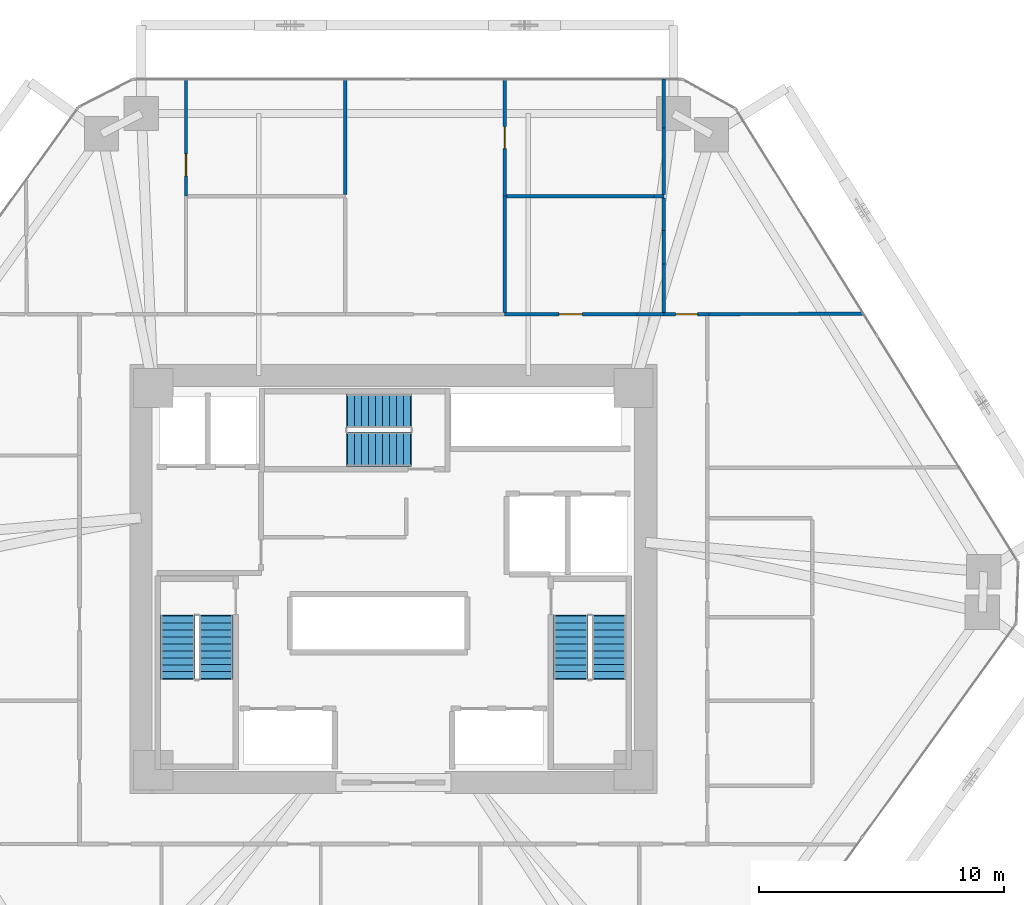
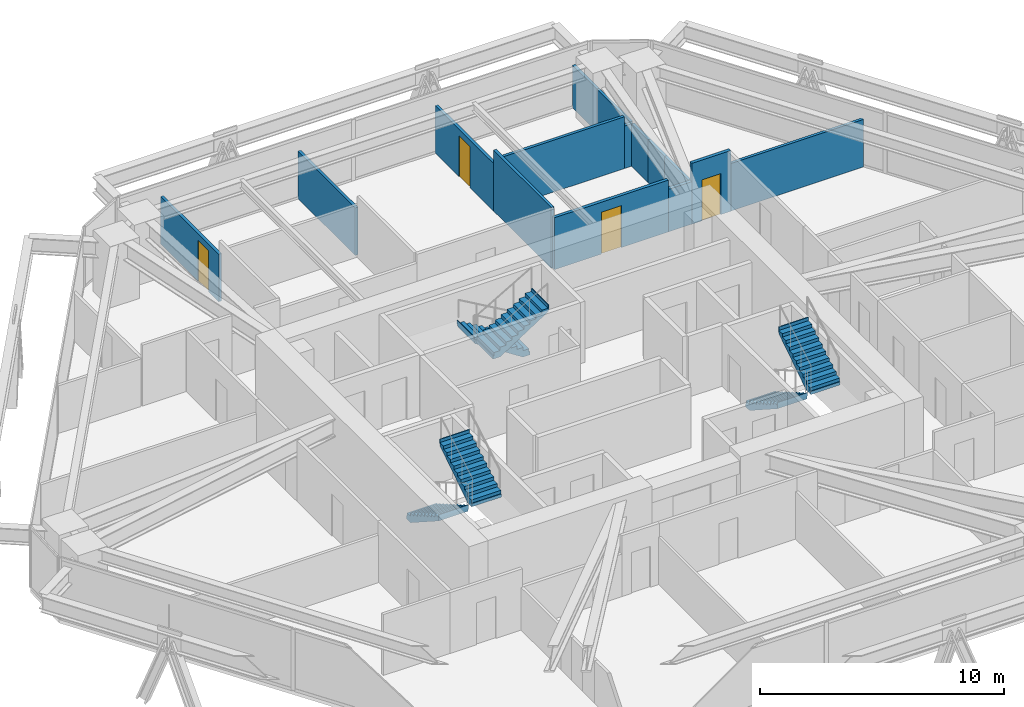
# One storey, part 16 of 17: 15 walls, 6 stair flights, 4 doors, 4 openings, 3 elements without a shape of their own.
"""IFC4 building model written with IfcOpenShell, lengths in metres."""

from ifc_helpers import new_model, si_unit, direction, frame, frame_2d, origin, place, context, subcontext, project, spatial, polyline, rectangle, outline, extrude, source, transform, mapped, material, layer, layer_set, type_object, type_shapes, element, fill, aggregate, save


model = new_model("IFC4")

# Units and contexts
model_context = context("Model", 3, precision=1e-05, world=origin(), true_north=direction((0.0, 1.0)))
body_context = subcontext(model_context, "Body", "Model", "MODEL_VIEW")
ifc_project = project(units=[si_unit("LENGTHUNIT", "METRE"), si_unit("AREAUNIT", "SQUARE_METRE"), si_unit("VOLUMEUNIT", "CUBIC_METRE"), si_unit("PLANEANGLEUNIT", "RADIAN"), si_unit("MASSUNIT", "GRAM", prefix="KILO")], contexts=[model_context])

# Site, building, storey
site_placement = place(None, origin())
site = spatial("IfcSite", under=ifc_project, at=site_placement, CompositionType="ELEMENT")
building_placement = place(site_placement, origin())
building = spatial("IfcBuilding", under=site, at=building_placement, Name="Durnholm Broadcast Tower", CompositionType="ELEMENT")
storey_placement = place(building_placement, frame((0.0, 0.0, 45.60009765625)))
storey = spatial("IfcBuildingStorey", under=building, at=storey_placement, Name="L10", CompositionType="ELEMENT", Elevation=45.60009765625)

# Wall, opening, door
ifc_material_1 = material(Name="Gypsum Metal Stud Partition", Category="concrete")
ifc_layer_1 = layer(ifc_material_1, 0.135009765625)
ifc_layer_set_1 = layer_set([ifc_layer_1], Name="Gypsum Metal Stud Partition")
wall_type_1 = type_object("IfcWallType", Name="WALL-PART-135", PredefinedType="PARTITIONING", material=ifc_layer_set_1)
wall_1_placement = place(storey_placement, frame((-8.4599609375, 20.39990234375, 0.0), z_axis=(0.0, 0.0, 1.0), x_axis=(0.0, -1.0, 0.0)))
wall_1 = element("IfcWall", 1, at=wall_1_placement, inside=storey, type_object=wall_type_1, Name="L10 room dividing partition 6.8", PredefinedType="PARTITIONING", context=body_context, shape_type="SweptSolid", body=[
    extrude(rectangle(XDim=4.77490234375, YDim=0.135009765625, at=frame_2d((2.387451171875, 0.0))), origin(), (0.0, 0.0, 1.0), 2.3798828125),
])
opening_1_placement = place(wall_1_placement, frame((3.050048828125, 0.0, 0.0)))
opening_1 = element("IfcOpeningElement", 2, at=opening_1_placement, cuts=wall_1, Name="Opening DW-90L", PredefinedType="OPENING", context=body_context, shape_type="SweptSolid", body=[
    extrude(rectangle(XDim=0.89990234375, YDim=2.050048828125, at=frame_2d((0.449951171875, 1.02490234375))), frame((0.0, 0.07763671875, 0.0), z_axis=(0.0, -1.0, 0.0), x_axis=(1.0, 0.0, 0.0)), (0.0, 0.0, 1.0), 0.155029296875),
])
ifc_material_2 = material(Name="Laminate Restroom Door", Category="steel")
ifc_layer_2 = layer(ifc_material_2, 0.050048828125)
ifc_layer_set_2 = layer_set([ifc_layer_2], Name="Laminate Restroom Door")
door_type_1 = type_object("IfcDoorType", Name="DOOR-WC-900L", OperationType="NOTDEFINED", PredefinedType="DOOR", material=ifc_layer_set_2)
shared_shape_1 = source(origin(), body_context, "Body", "SweptSolid", [
    extrude(rectangle(XDim=0.89990234375, YDim=2.050048828125, at=frame_2d((0.449951171875, 1.02490234375))), frame((0.0, 0.02490234375, 0.0), z_axis=(0.0, -1.0, 0.0), x_axis=(1.0, 0.0, 0.0)), (0.0, 0.0, 1.0), 0.050048828125),
])
type_shapes(door_type_1, [shared_shape_1])
door_1_placement = place(opening_1_placement, origin())
door_1 = element("IfcDoor", 3, at=door_1_placement, inside=storey, type_object=door_type_1, Name="L10 Audio Mix Office connecting door", OperationType="SINGLE_SWING_LEFT", OverallHeight=2.050048828125, OverallWidth=0.89990234375, PredefinedType="DOOR", context=body_context, shape_type="MappedRepresentation", body=[
    mapped(shared_shape_1, transform((0.0, 0.0, 0.0), x_axis=(1.0, 0.0, 0.0), y_axis=(0.0, 1.0, 0.0), z_axis=(0.0, 0.0, 1.0), scale=1.0)),
])
fill(opening_1, door_1)

# Walls
wall_2_placement = place(storey_placement, frame((-1.9599609375, 20.39990234375, 0.0), z_axis=(0.0, 0.0, 1.0), x_axis=(0.0, -1.0, 0.0)))
element("IfcWall", 4, at=wall_2_placement, inside=storey, type_object=wall_type_1, Name="L10 room dividing partition 8.9", PredefinedType="PARTITIONING", context=body_context, shape_type="SweptSolid", body=[
    extrude(rectangle(XDim=4.703369140625, YDim=0.135009765625, at=frame_2d((2.3515625, 0.0))), origin(), (0.0, 0.0, 1.0), 2.3798828125),
])
wall_3_placement = place(storey_placement, frame((4.5400390625, 15.625, 0.0), z_axis=(0.0, 0.0, 1.0), x_axis=(0.0, -1.0, 0.0)))
element("IfcWall", 5, at=wall_3_placement, inside=storey, type_object=wall_type_1, Name="L10 room dividing partition 9.10", PredefinedType="PARTITIONING", context=body_context, shape_type="SweptSolid", body=[
    extrude(rectangle(XDim=4.736083984375, YDim=0.135009765625, at=frame_2d((2.3681640625, 0.0))), origin(), (0.0, 0.0, 1.0), 3.044921875),
])

# Wall, opening, door
wall_4_placement = place(storey_placement, frame((4.5400390625, 20.39990234375, 0.0), z_axis=(0.0, 0.0, 1.0), x_axis=(0.0, -1.0, 0.0)))
wall_4 = element("IfcWall", 6, at=wall_4_placement, inside=storey, type_object=wall_type_1, Name="L10 room dividing partition 9.11", PredefinedType="PARTITIONING", context=body_context, shape_type="SweptSolid", body=[
    extrude(rectangle(XDim=4.77490234375, YDim=0.135009765625, at=frame_2d((2.387451171875, 0.0))), origin(), (0.0, 0.0, 1.0), 2.3798828125),
])
opening_2_placement = place(wall_4_placement, frame((1.9375, 0.0, 0.0)))
opening_2 = element("IfcOpeningElement", 7, at=opening_2_placement, cuts=wall_4, Name="Opening DW-90L", PredefinedType="OPENING", context=body_context, shape_type="SweptSolid", body=[
    extrude(rectangle(XDim=0.89990234375, YDim=2.050048828125, at=frame_2d((0.449951171875, 1.02490234375))), frame((0.0, 0.07763671875, 0.0), z_axis=(0.0, -1.0, 0.0), x_axis=(1.0, 0.0, 0.0)), (0.0, 0.0, 1.0), 0.155029296875),
])
door_2_placement = place(opening_2_placement, origin())
door_2 = element("IfcDoor", 8, at=door_2_placement, inside=storey, type_object=door_type_1, Name="L10 Reporter Office 1 connecting door", OperationType="SINGLE_SWING_LEFT", OverallHeight=2.050048828125, OverallWidth=0.89990234375, PredefinedType="DOOR", context=body_context, shape_type="MappedRepresentation", body=[
    mapped(shared_shape_1, transform((0.0, 0.0, 0.0), x_axis=(1.0, 0.0, 0.0), y_axis=(0.0, 1.0, 0.0), z_axis=(0.0, 0.0, 1.0), scale=1.0)),
])
fill(opening_2, door_2)

# Walls
wall_5_placement = place(storey_placement, frame((4.611572265625, 15.625, 0.0), z_axis=(0.0, 0.0, 1.0), x_axis=(1.0, 0.0, 0.0)))
element("IfcWall", 9, at=wall_5_placement, inside=storey, type_object=wall_type_1, Name="L10 room dividing partition 10.11", PredefinedType="PARTITIONING", context=body_context, shape_type="SweptSolid", body=[
    extrude(rectangle(XDim=6.02294921875, YDim=0.135009765625, at=frame_2d((3.011474609375, 0.0))), origin(), (0.0, 0.0, 1.0), 2.59765625),
])
wall_6_placement = place(storey_placement, frame((10.634521484375, 15.625, 0.0), z_axis=(0.0, 0.0, 1.0), x_axis=(1.0, 0.0, 0.0)))
element("IfcWall", 10, at=wall_6_placement, inside=storey, type_object=wall_type_1, Name="L10 room dividing partition 10.11", PredefinedType="PARTITIONING", context=body_context, shape_type="SweptSolid", body=[
    extrude(rectangle(XDim=0.405517578125, YDim=0.135009765625, at=frame_2d((0.20263671875, 0.0))), origin(), (0.0, 0.0, 1.0), 2.1298828125),
])
wall_7_placement = place(storey_placement, frame((11.0400390625, 14.218505859375, 0.0), z_axis=(0.0, 0.0, 1.0), x_axis=(0.0, -1.0, 0.0)))
element("IfcWall", 11, at=wall_7_placement, inside=storey, type_object=wall_type_1, Name="L10 room dividing partition 10.12", PredefinedType="PARTITIONING", context=body_context, shape_type="SweptSolid", body=[
    extrude(rectangle(XDim=1.3642578125, YDim=0.135009765625, at=frame_2d((0.68212890625, 0.0))), origin(), (0.0, 0.0, 1.0), 2.1298828125),
])
wall_8_placement = place(storey_placement, frame((11.0400390625, 15.553466796875, 0.0), z_axis=(0.0, 0.0, 1.0), x_axis=(0.0, -1.0, 0.0)))
element("IfcWall", 12, at=wall_8_placement, inside=storey, type_object=wall_type_1, Name="L10 room dividing partition 10.12", PredefinedType="PARTITIONING", context=body_context, shape_type="SweptSolid", body=[
    extrude(rectangle(XDim=1.3349609375, YDim=0.135009765625, at=frame_2d((0.66748046875, 0.0))), origin(), (0.0, 0.0, 1.0), 2.1298828125),
])
wall_9_placement = place(storey_placement, frame((11.0400390625, 12.854248046875, 0.0), z_axis=(0.0, 0.0, 1.0), x_axis=(0.0, -1.0, 0.0)))
element("IfcWall", 13, at=wall_9_placement, inside=storey, type_object=wall_type_1, Name="L10 room dividing partition 10.12", PredefinedType="PARTITIONING", context=body_context, shape_type="SweptSolid", body=[
    extrude(rectangle(XDim=1.96533203125, YDim=0.135009765625, at=frame_2d((0.982666015625, 0.0))), origin(), (0.0, 0.0, 1.0), 2.1298828125),
])
wall_10_placement = place(storey_placement, frame((11.0400390625, 20.39990234375, 0.0), z_axis=(0.0, 0.0, 1.0), x_axis=(0.0, -1.0, 0.0)))
element("IfcWall", 14, at=wall_10_placement, inside=storey, type_object=wall_type_1, Name="L10 room dividing partition 11.12", PredefinedType="PARTITIONING", context=body_context, shape_type="SweptSolid", body=[
    extrude(rectangle(XDim=1.990478515625, YDim=0.135009765625, at=frame_2d((0.9951171875, 0.0))), origin(), (0.0, 0.0, 1.0), 2.1298828125),
])
wall_11_placement = place(storey_placement, frame((11.0400390625, 18.409423828125, 0.0), z_axis=(0.0, 0.0, 1.0), x_axis=(0.0, -1.0, 0.0)))
element("IfcWall", 15, at=wall_11_placement, inside=storey, type_object=wall_type_1, Name="L10 room dividing partition 11.12", PredefinedType="PARTITIONING", context=body_context, shape_type="SweptSolid", body=[
    extrude(rectangle(XDim=2.712890625, YDim=0.135009765625, at=frame_2d((1.3564453125, 0.0))), origin(), (0.0, 0.0, 1.0), 2.1298828125),
])
wall_12_placement = place(storey_placement, frame((19.18212890625, 10.831298828125, 0.0), z_axis=(0.0, 0.0, 1.0), x_axis=(-0.999994432845, -0.003336806783, 0.0)))
element("IfcWall", 16, at=wall_12_placement, inside=storey, type_object=wall_type_1, Name="L10 room dividing partition 12.22", PredefinedType="PARTITIONING", context=body_context, shape_type="SweptSolid", body=[
    extrude(rectangle(XDim=6.292236328125, YDim=0.135009765625, at=frame_2d((3.14599609375, 0.0))), origin(), (0.0, 0.0, 1.0), 2.3798828125),
])

# Wall, opening, door
ifc_material_3 = material(Name="Acoustic Gypsum Stud Partition", Category="concrete")
ifc_layer_3 = layer(ifc_material_3, 0.14990234375)
ifc_layer_set_3 = layer_set([ifc_layer_3], Name="Acoustic Gypsum Stud Partition")
wall_type_2 = type_object("IfcWallType", Name="WALL-PART-150", PredefinedType="PARTITIONING", material=ifc_layer_set_3)
wall_13_placement = place(storey_placement, frame((9.93310546875, 10.81005859375, 0.0), z_axis=(0.0, 0.0, 1.0), x_axis=(-1.0, 0.0, 0.0)))
wall_13 = element("IfcWall", 17, at=wall_13_placement, inside=storey, type_object=wall_type_2, Name="L10 Anchor Prep Office corridor partition", PredefinedType="PARTITIONING", context=body_context, shape_type="SweptSolid", body=[
    extrude(rectangle(XDim=5.39306640625, YDim=0.14990234375, at=frame_2d((2.696533203125, 0.0))), origin(), (0.0, 0.0, 1.0), 2.59765625),
])
opening_3_placement = place(wall_13_placement, frame((2.2216796875, 0.0, 0.0)))
opening_3 = element("IfcOpeningElement", 18, at=opening_3_placement, cuts=wall_13, Name="Opening DR-95L", PredefinedType="OPENING", context=body_context, shape_type="SweptSolid", body=[
    extrude(rectangle(XDim=0.949951171875, YDim=2.10009765625, at=frame_2d((0.47509765625, 1.050048828125))), frame((0.0, 0.0849609375, 0.0), z_axis=(0.0, -1.0, 0.0), x_axis=(1.0, 0.0, 0.0)), (0.0, 0.0, 1.0), 0.169921875),
])
ifc_material_4 = material(Name="Acoustic Oak Veneer Timber Door", Category="wood")
ifc_layer_4 = layer(ifc_material_4, 0.050048828125)
ifc_layer_set_4 = layer_set([ifc_layer_4], Name="Acoustic Oak Veneer Timber Door")
door_type_2 = type_object("IfcDoorType", Name="DOOR-RM-950L", OperationType="NOTDEFINED", PredefinedType="DOOR", material=ifc_layer_set_4)
shared_shape_2 = source(origin(), body_context, "Body", "SweptSolid", [
    extrude(rectangle(XDim=0.949951171875, YDim=2.10009765625, at=frame_2d((0.47509765625, 1.050048828125))), frame((0.0, 0.02490234375, 0.0), z_axis=(0.0, -1.0, 0.0), x_axis=(1.0, 0.0, 0.0)), (0.0, 0.0, 1.0), 0.050048828125),
])
type_shapes(door_type_2, [shared_shape_2])
door_3_placement = place(opening_3_placement, origin())
door_3 = element("IfcDoor", 19, at=door_3_placement, inside=storey, type_object=door_type_2, Name="L10 Anchor Prep Office entrance door", OperationType="SINGLE_SWING_LEFT", OverallHeight=2.10009765625, OverallWidth=0.949951171875, PredefinedType="DOOR", context=body_context, shape_type="MappedRepresentation", body=[
    mapped(shared_shape_2, transform((0.0, 0.0, 0.0), x_axis=(1.0, 0.0, 0.0), y_axis=(0.0, 1.0, 0.0), z_axis=(0.0, 0.0, 1.0), scale=1.0)),
])
fill(opening_3, door_3)

# Wall
wall_14_placement = place(storey_placement, frame((11.0400390625, 10.81005859375, 0.0), z_axis=(0.0, 0.0, 1.0), x_axis=(-1.0, 0.0, 0.0)))
element("IfcWall", 20, at=wall_14_placement, inside=storey, type_object=wall_type_2, Name="L10 Anchor Prep Office corridor partition", PredefinedType="PARTITIONING", context=body_context, shape_type="SweptSolid", body=[
    extrude(rectangle(XDim=1.10693359375, YDim=0.14990234375, at=frame_2d((0.553466796875, 0.0))), origin(), (0.0, 0.0, 1.0), 2.1298828125),
])

# Wall, opening, door
wall_15_placement = place(storey_placement, frame((12.889892578125, 10.81005859375, 0.0), z_axis=(0.0, 0.0, 1.0), x_axis=(-1.0, 0.0, 0.0)))
wall_15 = element("IfcWall", 21, at=wall_15_placement, inside=storey, type_object=wall_type_2, Name="L10 Reporter Office 2 corridor partition", PredefinedType="PARTITIONING", context=body_context, shape_type="SweptSolid", body=[
    extrude(rectangle(XDim=1.847412109375, YDim=0.14990234375, at=frame_2d((0.923828125, 0.0))), origin(), (0.0, 0.0, 1.0), 3.044921875),
])
opening_4_placement = place(wall_15_placement, frame((0.4736328125, 0.0, 0.0)))
opening_4 = element("IfcOpeningElement", 22, at=opening_4_placement, cuts=wall_15, Name="Opening DW-90R", PredefinedType="OPENING", context=body_context, shape_type="SweptSolid", body=[
    extrude(rectangle(XDim=0.89990234375, YDim=2.050048828125, at=frame_2d((0.449951171875, 1.02490234375))), frame((0.0, 0.0849609375, 0.0), z_axis=(0.0, -1.0, 0.0), x_axis=(1.0, 0.0, 0.0)), (0.0, 0.0, 1.0), 0.169921875),
])
ifc_layer_5 = layer(ifc_material_2, 0.050048828125)
ifc_layer_set_5 = layer_set([ifc_layer_5], Name="Laminate Restroom Door")
door_type_3 = type_object("IfcDoorType", Name="DOOR-WC-900R", OperationType="NOTDEFINED", PredefinedType="DOOR", material=ifc_layer_set_5)
shared_shape_3 = source(origin(), body_context, "Body", "SweptSolid", [
    extrude(rectangle(XDim=0.89990234375, YDim=2.050048828125, at=frame_2d((0.449951171875, 1.02490234375))), frame((0.0, 0.02490234375, 0.0), z_axis=(0.0, -1.0, 0.0), x_axis=(1.0, 0.0, 0.0)), (0.0, 0.0, 1.0), 0.050048828125),
])
type_shapes(door_type_3, [shared_shape_3])
door_4_placement = place(opening_4_placement, origin())
door_4 = element("IfcDoor", 23, at=door_4_placement, inside=storey, type_object=door_type_3, Name="L10 Reporter Office 2 entrance door", OperationType="SINGLE_SWING_RIGHT", OverallHeight=2.050048828125, OverallWidth=0.89990234375, PredefinedType="DOOR", context=body_context, shape_type="MappedRepresentation", body=[
    mapped(shared_shape_3, transform((0.0, 0.0, 0.0), x_axis=(1.0, 0.0, 0.0), y_axis=(0.0, 1.0, 0.0), z_axis=(0.0, 0.0, 1.0), scale=1.0)),
])
fill(opening_4, door_4)

# Stair, stair flights
ifc_material_5 = material(Name="Concrete C50/60", Category="concrete")
stair_type = type_object("IfcStairType", Name="STAIR-DL-20R1650", PredefinedType="HALF_TURN_STAIR", material=ifc_material_5)
stair_1_placement = place(storey_placement, origin())
stair_1 = element("IfcStair", 24, at=stair_1_placement, inside=storey, type_object=stair_type, Name="L10 ST-1", PredefinedType="HALF_TURN_STAIR")
stair_flight_type = type_object("IfcStairFlightType", Name="FLIGHT-DL-20R1650", PredefinedType="STRAIGHT", material=ifc_material_5)
stair_flight_1_placement = place(storey_placement, frame((-8.800048828125, -1.5, 0.0), z_axis=(0.0, 0.0, 1.0), x_axis=(0.0, -1.0, 0.0)))
stair_flight_1 = element("IfcStairFlight", 25, at=stair_flight_1_placement, type_object=stair_flight_type, Name="ST-1 flight 1", NumberOfRisers=10, NumberOfTreads=9, PredefinedType="STRAIGHT", RiserHeight=0.165, TreadLength=0.285, context=body_context, shape_type="SweptSolid", body=[
    extrude(outline(polyline([(-0.0400390625, -0.14990234375), (-0.0400390625, 0.0), (0.0, 0.0), (0.0, 0.1650390625), (0.284912109375, 0.1650390625), (0.284912109375, 0.330078125), (0.570068359375, 0.330078125), (0.570068359375, 0.4951171875), (0.85498046875, 0.4951171875), (0.85498046875, 0.659912109375), (1.139892578125, 0.659912109375), (1.139892578125, 0.824951171875), (1.425048828125, 0.824951171875), (1.425048828125, 0.989990234375), (1.7099609375, 0.989990234375), (1.7099609375, 1.155029296875), (1.9951171875, 1.155029296875), (1.9951171875, 1.320068359375), (2.280029296875, 1.320068359375), (2.280029296875, 1.485107421875), (2.56494140625, 1.485107421875), (2.56494140625, 1.64990234375), (2.60498046875, 1.64990234375), (2.60498046875, 1.5), (2.56494140625, 1.311767578125), (0.299072265625, -0.14990234375), (-0.0400390625, -0.14990234375)])), frame((0.0, 0.699951171875, 0.0), z_axis=(0.0, -1.0, 0.0), x_axis=(1.0, 0.0, 0.0)), (0.0, 0.0, 1.0), 1.39990234375),
])
stair_flight_2_placement = place(storey_placement, frame((-7.239990234375, -4.06494140625, 1.64990234375), z_axis=(0.0, 0.0, 1.0), x_axis=(0.0, 1.0, 0.0)))
stair_flight_2 = element("IfcStairFlight", 26, at=stair_flight_2_placement, type_object=stair_flight_type, Name="ST-1 flight 2", NumberOfRisers=10, NumberOfTreads=9, PredefinedType="STRAIGHT", RiserHeight=0.165, TreadLength=0.285, context=body_context, shape_type="SweptSolid", body=[
    extrude(outline(polyline([(-0.0400390625, -0.14990234375), (-0.0400390625, 0.0), (0.0, 0.0), (0.0, 0.1650390625), (0.284912109375, 0.1650390625), (0.284912109375, 0.330078125), (0.570068359375, 0.330078125), (0.570068359375, 0.4951171875), (0.85498046875, 0.4951171875), (0.85498046875, 0.659912109375), (1.139892578125, 0.659912109375), (1.139892578125, 0.824951171875), (1.425048828125, 0.824951171875), (1.425048828125, 0.989990234375), (1.7099609375, 0.989990234375), (1.7099609375, 1.155029296875), (1.9951171875, 1.155029296875), (1.9951171875, 1.320068359375), (2.280029296875, 1.320068359375), (2.280029296875, 1.485107421875), (2.56494140625, 1.485107421875), (2.56494140625, 1.64990234375), (2.60498046875, 1.64990234375), (2.60498046875, 1.5), (2.56494140625, 1.311767578125), (0.299072265625, -0.14990234375), (-0.0400390625, -0.14990234375)])), frame((0.0, 0.699951171875, 0.0), z_axis=(0.0, -1.0, 0.0), x_axis=(1.0, 0.0, 0.0)), (0.0, 0.0, 1.0), 1.39990234375),
])
aggregate(stair_1, [stair_flight_1, stair_flight_2])

stair_2_placement = place(storey_placement, origin())
stair_2 = element("IfcStair", 27, at=stair_2_placement, inside=storey, type_object=stair_type, Name="L10 ST-2", PredefinedType="HALF_TURN_STAIR")
stair_flight_3_placement = place(storey_placement, frame((7.239990234375, -1.5, 0.0), z_axis=(0.0, 0.0, 1.0), x_axis=(0.0, -1.0, 0.0)))
stair_flight_3 = element("IfcStairFlight", 28, at=stair_flight_3_placement, type_object=stair_flight_type, Name="ST-2 flight 1", NumberOfRisers=10, NumberOfTreads=9, PredefinedType="STRAIGHT", RiserHeight=0.165, TreadLength=0.285, context=body_context, shape_type="SweptSolid", body=[
    extrude(outline(polyline([(-0.0400390625, -0.14990234375), (-0.0400390625, 0.0), (0.0, 0.0), (0.0, 0.1650390625), (0.284912109375, 0.1650390625), (0.284912109375, 0.330078125), (0.570068359375, 0.330078125), (0.570068359375, 0.4951171875), (0.85498046875, 0.4951171875), (0.85498046875, 0.659912109375), (1.139892578125, 0.659912109375), (1.139892578125, 0.824951171875), (1.425048828125, 0.824951171875), (1.425048828125, 0.989990234375), (1.7099609375, 0.989990234375), (1.7099609375, 1.155029296875), (1.9951171875, 1.155029296875), (1.9951171875, 1.320068359375), (2.280029296875, 1.320068359375), (2.280029296875, 1.485107421875), (2.56494140625, 1.485107421875), (2.56494140625, 1.64990234375), (2.60498046875, 1.64990234375), (2.60498046875, 1.5), (2.56494140625, 1.311767578125), (0.299072265625, -0.14990234375), (-0.0400390625, -0.14990234375)])), frame((0.0, 0.699951171875, 0.0), z_axis=(0.0, -1.0, 0.0), x_axis=(1.0, 0.0, 0.0)), (0.0, 0.0, 1.0), 1.39990234375),
])
stair_flight_4_placement = place(storey_placement, frame((8.800048828125, -4.06494140625, 1.64990234375), z_axis=(0.0, 0.0, 1.0), x_axis=(0.0, 1.0, 0.0)))
stair_flight_4 = element("IfcStairFlight", 29, at=stair_flight_4_placement, type_object=stair_flight_type, Name="ST-2 flight 2", NumberOfRisers=10, NumberOfTreads=9, PredefinedType="STRAIGHT", RiserHeight=0.165, TreadLength=0.285, context=body_context, shape_type="SweptSolid", body=[
    extrude(outline(polyline([(-0.0400390625, -0.14990234375), (-0.0400390625, 0.0), (0.0, 0.0), (0.0, 0.1650390625), (0.284912109375, 0.1650390625), (0.284912109375, 0.330078125), (0.570068359375, 0.330078125), (0.570068359375, 0.4951171875), (0.85498046875, 0.4951171875), (0.85498046875, 0.659912109375), (1.139892578125, 0.659912109375), (1.139892578125, 0.824951171875), (1.425048828125, 0.824951171875), (1.425048828125, 0.989990234375), (1.7099609375, 0.989990234375), (1.7099609375, 1.155029296875), (1.9951171875, 1.155029296875), (1.9951171875, 1.320068359375), (2.280029296875, 1.320068359375), (2.280029296875, 1.485107421875), (2.56494140625, 1.485107421875), (2.56494140625, 1.64990234375), (2.60498046875, 1.64990234375), (2.60498046875, 1.5), (2.56494140625, 1.311767578125), (0.299072265625, -0.14990234375), (-0.0400390625, -0.14990234375)])), frame((0.0, 0.699951171875, 0.0), z_axis=(0.0, -1.0, 0.0), x_axis=(1.0, 0.0, 0.0)), (0.0, 0.0, 1.0), 1.39990234375),
])
aggregate(stair_2, [stair_flight_3, stair_flight_4])

stair_3_placement = place(storey_placement, origin())
stair_3 = element("IfcStair", 30, at=stair_3_placement, inside=storey, type_object=stair_type, Name="L10 ST-3", PredefinedType="HALF_TURN_STAIR")
stair_flight_5_placement = place(storey_placement, frame((0.699951171875, 6.860107421875, 0.0), z_axis=(0.0, 0.0, 1.0), x_axis=(-1.0, 0.0, 0.0)))
stair_flight_5 = element("IfcStairFlight", 31, at=stair_flight_5_placement, type_object=stair_flight_type, Name="ST-3 flight 1", NumberOfRisers=10, NumberOfTreads=9, PredefinedType="STRAIGHT", RiserHeight=0.165, TreadLength=0.285, context=body_context, shape_type="SweptSolid", body=[
    extrude(outline(polyline([(-0.0400390625, -0.14990234375), (-0.0400390625, 0.0), (0.0, 0.0), (0.0, 0.1650390625), (0.284912109375, 0.1650390625), (0.284912109375, 0.330078125), (0.570068359375, 0.330078125), (0.570068359375, 0.4951171875), (0.85498046875, 0.4951171875), (0.85498046875, 0.659912109375), (1.139892578125, 0.659912109375), (1.139892578125, 0.824951171875), (1.425048828125, 0.824951171875), (1.425048828125, 0.989990234375), (1.7099609375, 0.989990234375), (1.7099609375, 1.155029296875), (1.9951171875, 1.155029296875), (1.9951171875, 1.320068359375), (2.280029296875, 1.320068359375), (2.280029296875, 1.485107421875), (2.56494140625, 1.485107421875), (2.56494140625, 1.64990234375), (2.60498046875, 1.64990234375), (2.60498046875, 1.5), (2.56494140625, 1.311767578125), (0.299072265625, -0.14990234375), (-0.0400390625, -0.14990234375)])), frame((0.0, 0.699951171875, 0.0), z_axis=(0.0, -1.0, 0.0), x_axis=(1.0, 0.0, 0.0)), (0.0, 0.0, 1.0), 1.39990234375),
])
stair_flight_6_placement = place(storey_placement, frame((-1.864990234375, 5.300048828125, 1.64990234375), z_axis=(0.0, 0.0, 1.0), x_axis=(1.0, 0.0, 0.0)))
stair_flight_6 = element("IfcStairFlight", 32, at=stair_flight_6_placement, type_object=stair_flight_type, Name="ST-3 flight 2", NumberOfRisers=10, NumberOfTreads=9, PredefinedType="STRAIGHT", RiserHeight=0.165, TreadLength=0.285, context=body_context, shape_type="SweptSolid", body=[
    extrude(outline(polyline([(-0.0400390625, -0.14990234375), (-0.0400390625, 0.0), (0.0, 0.0), (0.0, 0.1650390625), (0.284912109375, 0.1650390625), (0.284912109375, 0.330078125), (0.570068359375, 0.330078125), (0.570068359375, 0.4951171875), (0.85498046875, 0.4951171875), (0.85498046875, 0.659912109375), (1.139892578125, 0.659912109375), (1.139892578125, 0.824951171875), (1.425048828125, 0.824951171875), (1.425048828125, 0.989990234375), (1.7099609375, 0.989990234375), (1.7099609375, 1.155029296875), (1.9951171875, 1.155029296875), (1.9951171875, 1.320068359375), (2.280029296875, 1.320068359375), (2.280029296875, 1.485107421875), (2.56494140625, 1.485107421875), (2.56494140625, 1.64990234375), (2.60498046875, 1.64990234375), (2.60498046875, 1.5), (2.56494140625, 1.311767578125), (0.299072265625, -0.14990234375), (-0.0400390625, -0.14990234375)])), frame((0.0, 0.699951171875, 0.0), z_axis=(0.0, -1.0, 0.0), x_axis=(1.0, 0.0, 0.0)), (0.0, 0.0, 1.0), 1.39990234375),
])
aggregate(stair_3, [stair_flight_5, stair_flight_6])

save(model, "model.ifc")
